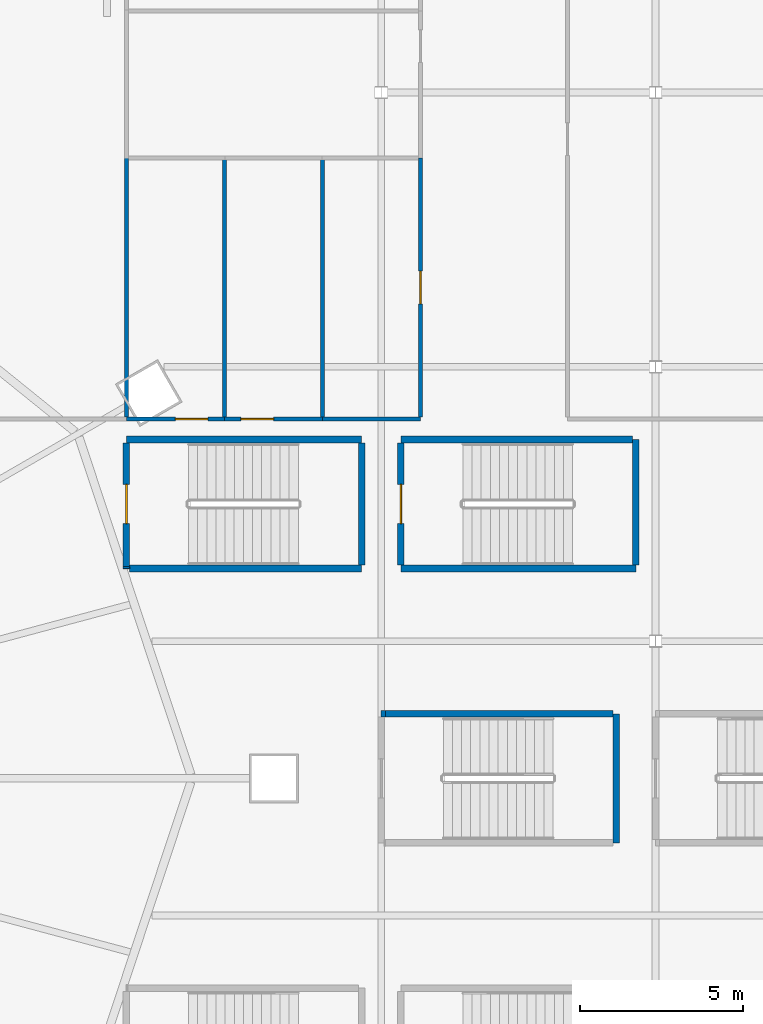
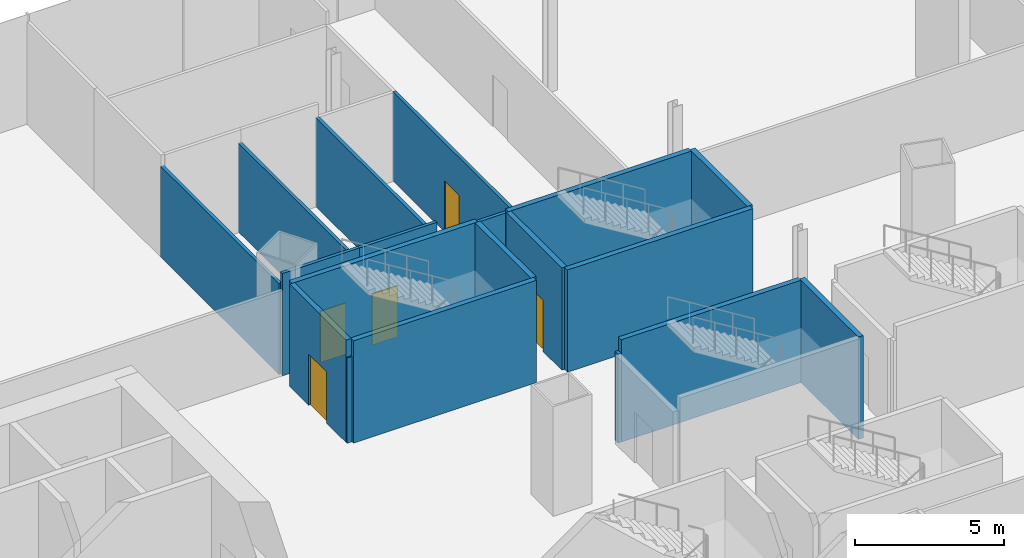
# One storey, part 36 of 52: 19 walls, 5 doors, 5 openings.
"""IFC4 building model written with IfcOpenShell, lengths in metres."""

from ifc_helpers import new_model, si_unit, direction, frame, frame_2d, origin, place, context, subcontext, project, spatial, rectangle, extrude, material, layer, layer_set, type_object, element, fill, save


model = new_model("IFC4")

# Units and contexts
model_context = context("Model", 3, precision=1e-05, world=origin(), true_north=direction((0.0, 1.0)))
body_context = subcontext(model_context, "Body", "Model", "MODEL_VIEW")
ifc_project = project(units=[si_unit("LENGTHUNIT", "METRE"), si_unit("AREAUNIT", "SQUARE_METRE"), si_unit("VOLUMEUNIT", "CUBIC_METRE"), si_unit("PLANEANGLEUNIT", "RADIAN"), si_unit("MASSUNIT", "GRAM", prefix="KILO")], contexts=[model_context])

# Site, building, storey
site_placement = place(None, origin())
site = spatial("IfcSite", under=ifc_project, at=site_placement, CompositionType="ELEMENT")
building_placement = place(site_placement, origin())
building = spatial("IfcBuilding", under=site, at=building_placement, Name="Rimbun Link Towers", CompositionType="ELEMENT")
storey_placement = place(building_placement, frame((0.0, 0.0, 21.0)))
storey = spatial("IfcBuildingStorey", under=building, at=storey_placement, Name="L04", CompositionType="ELEMENT", Elevation=21.0)

# Wall, opening, door
ifc_material_1 = material(Name="Gypsum board on steel studs", Category="steel")
ifc_layer_1 = layer(ifc_material_1, 0.125)
ifc_layer_set_1 = layer_set([ifc_layer_1], Name="Partition 125 board on studs")
wall_type_1 = type_object("IfcWallType", Name="Partition 125 board on studs", PredefinedType="PARTITIONING", material=ifc_layer_set_1)
wall_1_placement = place(storey_placement, frame((-9.0, 11.0, 0.0), z_axis=(0.0, 0.0, 1.0), x_axis=(-1.0, 0.0, 0.0)))
wall_1 = element("IfcWall", 1, at=wall_1_placement, inside=storey, type_object=wall_type_1, Name="PD/PW/L04/035", PredefinedType="PARTITIONING", context=body_context, shape_type="SweptSolid", body=[
    extrude(rectangle(XDim=3.0, YDim=0.125, at=frame_2d((1.5, 0.0))), origin(), (0.0, 0.0, 1.0), 4.199951171875),
])
opening_1_placement = place(wall_1_placement, frame((0.5048828125, 0.0, 0.0)))
opening_1 = element("IfcOpeningElement", 2, at=opening_1_placement, cuts=wall_1, Name="Opening PD D04.11", PredefinedType="OPENING", context=body_context, shape_type="SweptSolid", body=[
    extrude(rectangle(XDim=1.0, YDim=2.10009765625, at=frame_2d((0.5, 1.050048828125))), frame((0.0, 0.072509765625, 0.0), z_axis=(0.0, -1.0, 0.0), x_axis=(1.0, 0.0, 0.0)), (0.0, 0.0, 1.0), 0.14501953125),
])
ifc_material_2 = material(Name="Timber door set", Category="wood")
door_type_1 = type_object("IfcDoorType", Name="Door single leaf 1000 x 2100", OperationType="NOTDEFINED", PredefinedType="DOOR", material=ifc_material_2)
door_1_placement = place(opening_1_placement, origin())
door_1 = element("IfcDoor", 3, at=door_1_placement, inside=storey, type_object=door_type_1, Name="PD/DR/L04/011", OperationType="SINGLE_SWING_RIGHT", OverallHeight=2.10009765625, OverallWidth=1.0, PredefinedType="DOOR", context=body_context, shape_type="SweptSolid", body=[
    extrude(rectangle(XDim=1.0, YDim=2.10009765625, at=frame_2d((0.5, 1.050048828125))), frame((0.0, 0.02490234375, 0.0), z_axis=(0.0, -1.0, 0.0), x_axis=(1.0, 0.0, 0.0)), (0.0, 0.0, 1.0), 0.050048828125),
])
fill(opening_1, door_1)

wall_2_placement = place(storey_placement, frame((-6.0, 11.0, 0.0), z_axis=(0.0, 0.0, 1.0), x_axis=(-1.0, 0.0, 0.0)))
wall_2 = element("IfcWall", 4, at=wall_2_placement, inside=storey, type_object=wall_type_1, Name="PD/PW/L04/036", PredefinedType="PARTITIONING", context=body_context, shape_type="SweptSolid", body=[
    extrude(rectangle(XDim=3.0, YDim=0.125, at=frame_2d((1.5, 0.0))), origin(), (0.0, 0.0, 1.0), 4.199951171875),
])
opening_2_placement = place(wall_2_placement, frame((1.4951171875, 0.0, 0.0)))
opening_2 = element("IfcOpeningElement", 5, at=opening_2_placement, cuts=wall_2, Name="Opening PD D04.12", PredefinedType="OPENING", context=body_context, shape_type="SweptSolid", body=[
    extrude(rectangle(XDim=1.0, YDim=2.10009765625, at=frame_2d((0.5, 1.050048828125))), frame((0.0, 0.072509765625, 0.0), z_axis=(0.0, -1.0, 0.0), x_axis=(1.0, 0.0, 0.0)), (0.0, 0.0, 1.0), 0.14501953125),
])
door_2_placement = place(opening_2_placement, origin())
door_2 = element("IfcDoor", 6, at=door_2_placement, inside=storey, type_object=door_type_1, Name="PD/DR/L04/012", OperationType="SINGLE_SWING_LEFT", OverallHeight=2.10009765625, OverallWidth=1.0, PredefinedType="DOOR", context=body_context, shape_type="SweptSolid", body=[
    extrude(rectangle(XDim=1.0, YDim=2.10009765625, at=frame_2d((0.5, 1.050048828125))), frame((0.0, 0.02490234375, 0.0), z_axis=(0.0, -1.0, 0.0), x_axis=(1.0, 0.0, 0.0)), (0.0, 0.0, 1.0), 0.050048828125),
])
fill(opening_2, door_2)

# Wall
wall_3_placement = place(storey_placement, frame((-3.0, 11.0, 0.0), z_axis=(0.0, 0.0, 1.0), x_axis=(-1.0, 0.0, 0.0)))
element("IfcWall", 7, at=wall_3_placement, inside=storey, type_object=wall_type_1, Name="PD/PW/L04/037", PredefinedType="PARTITIONING", context=body_context, shape_type="SweptSolid", body=[
    extrude(rectangle(XDim=3.0, YDim=0.125, at=frame_2d((1.5, 0.0))), origin(), (0.0, 0.0, 1.0), 3.64697265625),
])

# Wall, opening, door
wall_4_placement = place(storey_placement, frame((-3.0, 19.0, 0.0), z_axis=(0.0, 0.0, 1.0), x_axis=(0.0, -1.0, 0.0)))
wall_4 = element("IfcWall", 8, at=wall_4_placement, inside=storey, type_object=wall_type_1, Name="PD/PW/L04/054", PredefinedType="PARTITIONING", context=body_context, shape_type="SweptSolid", body=[
    extrude(rectangle(XDim=7.9375, YDim=0.125, at=frame_2d((3.96875, 0.0))), origin(), (0.0, 0.0, 1.0), 3.64697265625),
])
opening_3_placement = place(wall_4_placement, frame((3.468994140625, 0.0, 0.0)))
opening_3 = element("IfcOpeningElement", 9, at=opening_3_placement, cuts=wall_4, Name="Opening PD D04.13", PredefinedType="OPENING", context=body_context, shape_type="SweptSolid", body=[
    extrude(rectangle(XDim=1.0, YDim=2.10009765625, at=frame_2d((0.5, 1.050048828125))), frame((0.0, 0.072509765625, 0.0), z_axis=(0.0, -1.0, 0.0), x_axis=(1.0, 0.0, 0.0)), (0.0, 0.0, 1.0), 0.14501953125),
])
door_3_placement = place(opening_3_placement, origin())
door_3 = element("IfcDoor", 10, at=door_3_placement, inside=storey, type_object=door_type_1, Name="PD/DR/L04/013", OperationType="SINGLE_SWING_RIGHT", OverallHeight=2.10009765625, OverallWidth=1.0, PredefinedType="DOOR", context=body_context, shape_type="SweptSolid", body=[
    extrude(rectangle(XDim=1.0, YDim=2.10009765625, at=frame_2d((0.5, 1.050048828125))), frame((0.0, 0.02490234375, 0.0), z_axis=(0.0, -1.0, 0.0), x_axis=(1.0, 0.0, 0.0)), (0.0, 0.0, 1.0), 0.050048828125),
])
fill(opening_3, door_3)

# Walls
wall_5_placement = place(storey_placement, frame((-9.0, 11.0625, 0.0), z_axis=(0.0, 0.0, 1.0), x_axis=(0.0, 1.0, 0.0)))
element("IfcWall", 11, at=wall_5_placement, inside=storey, type_object=wall_type_1, Name="PD/PW/L04/058", PredefinedType="PARTITIONING", context=body_context, shape_type="SweptSolid", body=[
    extrude(rectangle(XDim=7.9375, YDim=0.125, at=frame_2d((3.96875, 0.0))), origin(), (0.0, 0.0, 1.0), 3.64697265625),
])
wall_6_placement = place(storey_placement, frame((-12.0, 19.02001953125, 0.0), z_axis=(0.0, 0.0, 1.0), x_axis=(0.0, -1.0, 0.0)))
element("IfcWall", 12, at=wall_6_placement, inside=storey, type_object=wall_type_1, Name="PD/PW/L04/060", PredefinedType="PARTITIONING", context=body_context, shape_type="SweptSolid", body=[
    extrude(rectangle(XDim=7.95751953125, YDim=0.125, at=frame_2d((3.978759765625, 0.0))), origin(), (0.0, 0.0, 1.0), 3.72705078125),
])
wall_7_placement = place(storey_placement, frame((-6.0, 11.0625, 0.0), z_axis=(0.0, 0.0, 1.0), x_axis=(0.0, 1.0, 0.0)))
element("IfcWall", 13, at=wall_7_placement, inside=storey, type_object=wall_type_1, Name="PD/PW/L04/061", PredefinedType="PARTITIONING", context=body_context, shape_type="SweptSolid", body=[
    extrude(rectangle(XDim=7.9375, YDim=0.125, at=frame_2d((3.96875, 0.0))), origin(), (0.0, 0.0, 1.0), 3.64697265625),
])
ifc_material_3 = material(Name="Concrete C40/50", Category="concrete")
ifc_layer_2 = layer(ifc_material_3, 0.199951171875)
ifc_layer_set_2 = layer_set([ifc_layer_2], Name="Stair shaft wall 200")
wall_type_2 = type_object("IfcWallType", Name="Stair shaft wall 200", PredefinedType="SOLIDWALL", material=ifc_layer_set_2)
wall_8_placement = place(storey_placement, frame((-4.800048828125, 10.375, 0.0), z_axis=(0.0, 0.0, 1.0), x_axis=(-1.0, 0.0, 0.0)))
element("IfcWall", 14, at=wall_8_placement, inside=storey, type_object=wall_type_2, Name="PD/PW/L04/009", PredefinedType="SOLIDWALL", context=body_context, shape_type="SweptSolid", body=[
    extrude(rectangle(XDim=7.199951171875, YDim=0.199951171875, at=frame_2d((3.60009765625, 0.0))), origin(), (0.0, 0.0, 1.0), 4.199951171875),
])

# Wall, opening, door
wall_9_placement = place(storey_placement, frame((-12.0, 10.27490234375, 0.0), z_axis=(0.0, 0.0, 1.0), x_axis=(0.0, -1.0, 0.0)))
wall_9 = element("IfcWall", 15, at=wall_9_placement, inside=storey, type_object=wall_type_2, Name="PD/PW/L04/010", PredefinedType="SOLIDWALL", context=body_context, shape_type="SweptSolid", body=[
    extrude(rectangle(XDim=3.794677734375, YDim=0.199951171875, at=frame_2d((1.8974609375, 0.0))), origin(), (0.0, 0.0, 1.0), 4.199951171875),
])
opening_4_placement = place(wall_9_placement, frame((1.27490234375, 0.0, 0.0)))
opening_4 = element("IfcOpeningElement", 16, at=opening_4_placement, cuts=wall_9, Name="Opening PD DS3", PredefinedType="OPENING", context=body_context, shape_type="SweptSolid", body=[
    extrude(rectangle(XDim=1.199951171875, YDim=2.10009765625, at=frame_2d((0.60009765625, 1.050048828125))), frame((0.0, 0.10986328125, 0.0), z_axis=(0.0, -1.0, 0.0), x_axis=(1.0, 0.0, 0.0)), (0.0, 0.0, 1.0), 0.219970703125),
])
ifc_material_4 = material(Name="Steel fire door set", Category="steel")
door_type_2 = type_object("IfcDoorType", Name="Stair door", OperationType="SINGLE_SWING_LEFT", PredefinedType="DOOR", material=ifc_material_4)
door_4_placement = place(opening_4_placement, frame((1.199951171875, 0.0, 0.0), z_axis=(0.0, 0.0, 1.0), x_axis=(-1.0, 0.0, 0.0)))
door_4 = element("IfcDoor", 17, at=door_4_placement, inside=storey, type_object=door_type_2, Name="PD/DR/L04/S3", OperationType="SINGLE_SWING_LEFT", OverallHeight=2.10009765625, OverallWidth=1.199951171875, PredefinedType="DOOR", context=body_context, shape_type="SweptSolid", body=[
    extrude(rectangle(XDim=1.199951171875, YDim=2.10009765625, at=frame_2d((0.60009765625, 1.050048828125))), frame((0.0, 0.02490234375, 0.0), z_axis=(0.0, -1.0, 0.0), x_axis=(1.0, 0.0, 0.0)), (0.0, 0.0, 1.0), 0.050048828125),
])
fill(opening_4, door_4)

# Walls
wall_10_placement = place(storey_placement, frame((-12.0, 6.480224609375, 0.0), z_axis=(0.0, 0.0, 1.0), x_axis=(0.0, -1.0, 0.0)))
element("IfcWall", 18, at=wall_10_placement, inside=storey, type_object=wall_type_2, Name="PD/PW/L04/010b", PredefinedType="SOLIDWALL", context=body_context, shape_type="SweptSolid", body=[
    extrude(rectangle(XDim=0.05517578125, YDim=0.199951171875, at=frame_2d((0.027587890625, 0.0))), origin(), (0.0, 0.0, 1.0), 3.49609375),
])
wall_11_placement = place(storey_placement, frame((-11.89990234375, 6.425048828125, 0.0), z_axis=(0.0, 0.0, 1.0), x_axis=(1.0, 0.0, 0.0)))
element("IfcWall", 19, at=wall_11_placement, inside=storey, type_object=wall_type_2, Name="PD/PW/L04/011", PredefinedType="SOLIDWALL", context=body_context, shape_type="SweptSolid", body=[
    extrude(rectangle(XDim=7.099853515625, YDim=0.199951171875, at=frame_2d((3.5498046875, 0.0))), origin(), (0.0, 0.0, 1.0), 4.199951171875),
])
wall_12_placement = place(storey_placement, frame((-4.800048828125, 6.52490234375, 0.0), z_axis=(0.0, 0.0, 1.0), x_axis=(0.0, 1.0, 0.0)))
element("IfcWall", 20, at=wall_12_placement, inside=storey, type_object=wall_type_2, Name="PD/PW/L04/012", PredefinedType="SOLIDWALL", context=body_context, shape_type="SweptSolid", body=[
    extrude(rectangle(XDim=3.75, YDim=0.199951171875, at=frame_2d((1.875, 0.0))), origin(), (0.0, 0.0, 1.0), 4.199951171875),
])
wall_13_placement = place(storey_placement, frame((-3.60009765625, 6.425048828125, 0.0), z_axis=(0.0, 0.0, 1.0), x_axis=(1.0, 0.0, 0.0)))
element("IfcWall", 21, at=wall_13_placement, inside=storey, type_object=wall_type_2, Name="PD/PW/L04/013", PredefinedType="SOLIDWALL", context=body_context, shape_type="SweptSolid", body=[
    extrude(rectangle(XDim=7.2001953125, YDim=0.199951171875, at=frame_2d((3.60009765625, 0.0))), origin(), (0.0, 0.0, 1.0), 4.199951171875),
])
wall_14_placement = place(storey_placement, frame((3.60009765625, 6.52490234375, 0.0), z_axis=(0.0, 0.0, 1.0), x_axis=(0.0, 1.0, 0.0)))
element("IfcWall", 22, at=wall_14_placement, inside=storey, type_object=wall_type_2, Name="PD/PW/L04/014", PredefinedType="SOLIDWALL", context=body_context, shape_type="SweptSolid", body=[
    extrude(rectangle(XDim=3.85009765625, YDim=0.199951171875, at=frame_2d((1.925048828125, 0.0))), origin(), (0.0, 0.0, 1.0), 4.199951171875),
])
wall_15_placement = place(storey_placement, frame((3.5, 10.375, 0.0), z_axis=(0.0, 0.0, 1.0), x_axis=(-1.0, 0.0, 0.0)))
element("IfcWall", 23, at=wall_15_placement, inside=storey, type_object=wall_type_2, Name="PD/PW/L04/015", PredefinedType="SOLIDWALL", context=body_context, shape_type="SweptSolid", body=[
    extrude(rectangle(XDim=7.10009765625, YDim=0.199951171875, at=frame_2d((3.550048828125, 0.0))), origin(), (0.0, 0.0, 1.0), 4.199951171875),
])

# Wall, opening, door
wall_16_placement = place(storey_placement, frame((-3.60009765625, 10.27490234375, 0.0), z_axis=(0.0, 0.0, 1.0), x_axis=(0.0, -1.0, 0.0)))
wall_16 = element("IfcWall", 24, at=wall_16_placement, inside=storey, type_object=wall_type_2, Name="PD/PW/L04/016", PredefinedType="SOLIDWALL", context=body_context, shape_type="SweptSolid", body=[
    extrude(rectangle(XDim=3.75, YDim=0.199951171875, at=frame_2d((1.875, 0.0))), origin(), (0.0, 0.0, 1.0), 4.199951171875),
])
opening_5_placement = place(wall_16_placement, frame((1.27490234375, 0.0, 0.0)))
opening_5 = element("IfcOpeningElement", 25, at=opening_5_placement, cuts=wall_16, Name="Opening PD DS4", PredefinedType="OPENING", context=body_context, shape_type="SweptSolid", body=[
    extrude(rectangle(XDim=1.199951171875, YDim=2.10009765625, at=frame_2d((0.60009765625, 1.050048828125))), frame((0.0, 0.10986328125, 0.0), z_axis=(0.0, -1.0, 0.0), x_axis=(1.0, 0.0, 0.0)), (0.0, 0.0, 1.0), 0.219970703125),
])
door_5_placement = place(opening_5_placement, frame((1.199951171875, 0.0, 0.0), z_axis=(0.0, 0.0, 1.0), x_axis=(-1.0, 0.0, 0.0)))
door_5 = element("IfcDoor", 26, at=door_5_placement, inside=storey, type_object=door_type_2, Name="PD/DR/L04/S4", OperationType="SINGLE_SWING_LEFT", OverallHeight=2.10009765625, OverallWidth=1.199951171875, PredefinedType="DOOR", context=body_context, shape_type="SweptSolid", body=[
    extrude(rectangle(XDim=1.199951171875, YDim=2.10009765625, at=frame_2d((0.60009765625, 1.050048828125))), frame((0.0, 0.02490234375, 0.0), z_axis=(0.0, -1.0, 0.0), x_axis=(1.0, 0.0, 0.0)), (0.0, 0.0, 1.0), 0.050048828125),
])
fill(opening_5, door_5)

# Walls
wall_17_placement = place(storey_placement, frame((3.0, -1.97509765625, 0.0), z_axis=(0.0, 0.0, 1.0), x_axis=(0.0, 1.0, 0.0)))
element("IfcWall", 27, at=wall_17_placement, inside=storey, type_object=wall_type_2, Name="PD/PW/L04/021", PredefinedType="SOLIDWALL", context=body_context, shape_type="SweptSolid", body=[
    extrude(rectangle(XDim=3.9501953125, YDim=0.199951171875, at=frame_2d((1.97509765625, 0.0))), origin(), (0.0, 0.0, 1.0), 4.199951171875),
])
wall_18_placement = place(storey_placement, frame((2.89990234375, 1.97509765625, 0.0), z_axis=(0.0, 0.0, 1.0), x_axis=(-1.0, 0.0, 0.0)))
element("IfcWall", 28, at=wall_18_placement, inside=storey, type_object=wall_type_2, Name="PD/PW/L04/022", PredefinedType="SOLIDWALL", context=body_context, shape_type="SweptSolid", body=[
    extrude(rectangle(XDim=6.975341796875, YDim=0.199951171875, at=frame_2d((3.48779296875, 0.0))), origin(), (0.0, 0.0, 1.0), 4.199951171875),
])
wall_19_placement = place(storey_placement, frame((-4.075439453125, 1.97509765625, 0.0), z_axis=(0.0, 0.0, 1.0), x_axis=(-1.0, 0.0, 0.0)))
element("IfcWall", 29, at=wall_19_placement, inside=storey, type_object=wall_type_2, Name="PD/PW/L04/022b", PredefinedType="SOLIDWALL", context=body_context, shape_type="SweptSolid", body=[
    extrude(rectangle(XDim=0.12451171875, YDim=0.199951171875, at=frame_2d((0.062255859375, 0.0))), origin(), (0.0, 0.0, 1.0), 3.64697265625),
])

save(model, "model.ifc")
